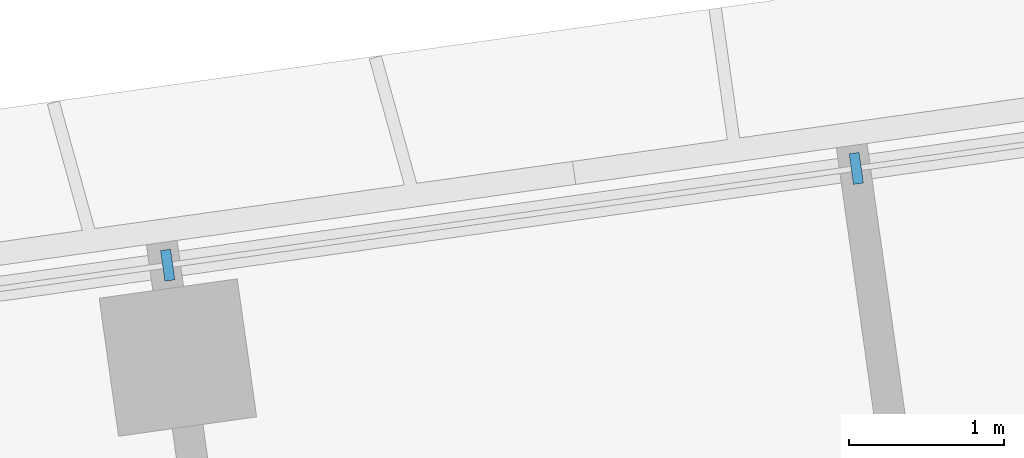
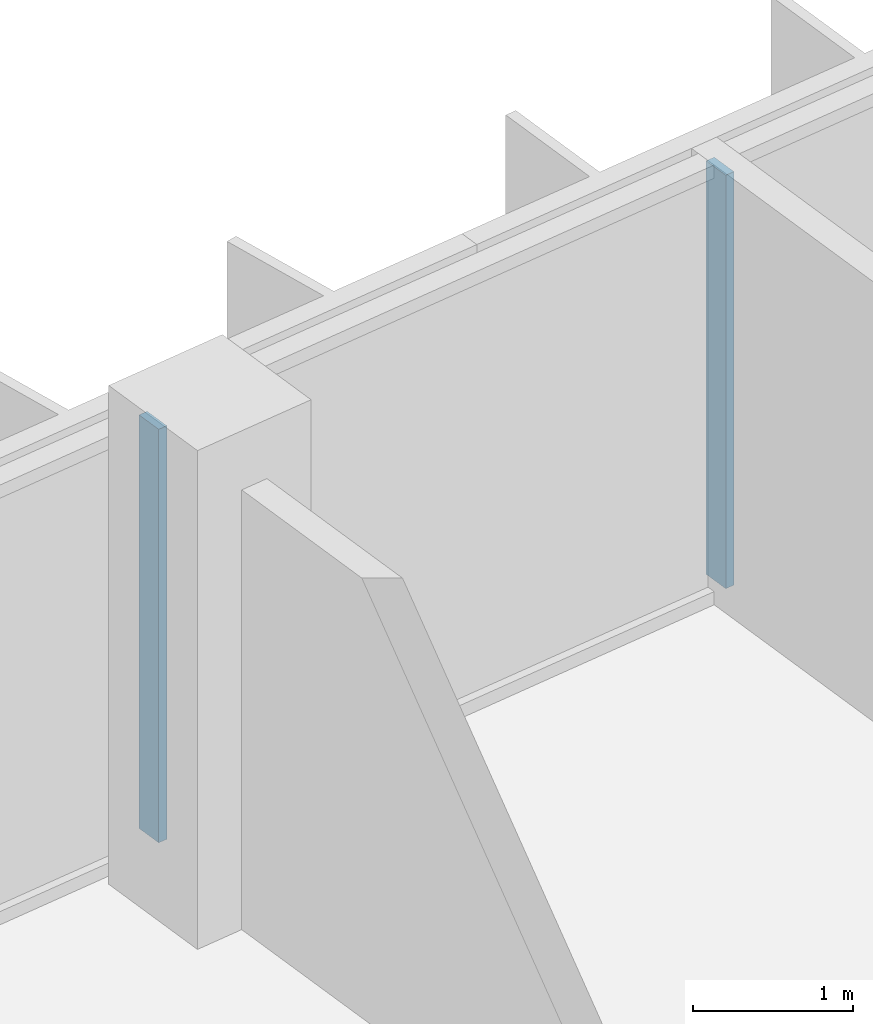
# One storey, part 8 of 25: 2 members, 1 element without a shape of its own.
"""IFC4 building model written with IfcOpenShell, lengths in metres."""

from ifc_helpers import new_model, si_unit, direction, frame, origin, origin_2d, place, context, subcontext, project, spatial, rectangle, extrude, material, material_profile, profile_set, type_object, element, aggregate, save


model = new_model("IFC4")

# Units and contexts
model_context = context("Model", 3, precision=1e-05, world=origin(), true_north=direction((0.0, 1.0)))
body_context = subcontext(model_context, "Body", "Model", "MODEL_VIEW")
ifc_project = project(units=[si_unit("LENGTHUNIT", "METRE"), si_unit("AREAUNIT", "SQUARE_METRE"), si_unit("VOLUMEUNIT", "CUBIC_METRE"), si_unit("PLANEANGLEUNIT", "RADIAN"), si_unit("MASSUNIT", "GRAM", prefix="KILO")], contexts=[model_context])

# Site, building, storey
site_placement = place(None, origin())
site = spatial("IfcSite", under=ifc_project, at=site_placement, CompositionType="ELEMENT")
building_placement = place(site_placement, origin())
building = spatial("IfcBuilding", under=site, at=building_placement, Name="Mirante Cascada Hotel Towers", CompositionType="ELEMENT")
storey_placement = place(building_placement, frame((0.0, 0.0, 102.5)))
storey = spatial("IfcBuildingStorey", under=building, at=storey_placement, Name="L22", CompositionType="ELEMENT", Elevation=102.5)

# Curtain wall, members
ifc_material_1 = material(Name="Aluminium mullion and transom frame with clear laminated glass", Category="aluminium")
curtain_wall_type = type_object("IfcCurtainWallType", Name="Ribbon curtain wall ECW1", PredefinedType="NOTDEFINED", material=ifc_material_1)
curtain_wall_placement = place(storey_placement, origin())
curtain_wall = element("IfcCurtainWall", 1, at=curtain_wall_placement, inside=storey, type_object=curtain_wall_type, Name="Front ribbon wall T2 L22", PredefinedType="NOTDEFINED")
ifc_material_2 = material(Name="Anodised aluminium extrusion", Category="aluminium")
ifc_material_profile = material_profile(ifc_material_2, rectangle(XDim=0.2, YDim=0.065, at=origin_2d()), Name="ECW1 MULLION 65x200")
ifc_profile_set = profile_set([ifc_material_profile], Name="Anodised aluminium extrusion")
member_type = type_object("IfcMemberType", Name="ECW1 mullion 65x200", PredefinedType="MULLION", material=ifc_profile_set)
member_1_placement = place(storey_placement, frame((58.5788, 21.0517, 0.1), z_axis=(0.0, 0.0, 1.0), x_axis=(0.1391731, -0.9902681, 0.0)))
member_1 = element("IfcMember", 2, at=member_1_placement, type_object=member_type, Name="ECW1 mullion 9", PredefinedType="MULLION", context=body_context, shape_type="SweptSolid", body=[
    extrude(rectangle(XDim=0.2, YDim=0.065, at=origin_2d()), origin(), (0.0, 0.0, 1.0), 3.15),
])
member_2_placement = place(storey_placement, frame((54.1314, 20.4267, 0.1), z_axis=(0.0, 0.0, 1.0), x_axis=(0.1391731, -0.9902681, 0.0)))
member_2 = element("IfcMember", 3, at=member_2_placement, type_object=member_type, Name="ECW1 mullion 10", PredefinedType="MULLION", context=body_context, shape_type="SweptSolid", body=[
    extrude(rectangle(XDim=0.2, YDim=0.065, at=origin_2d()), origin(), (0.0, 0.0, 1.0), 3.15),
])
aggregate(curtain_wall, [member_1, member_2])

save(model, "model.ifc")
